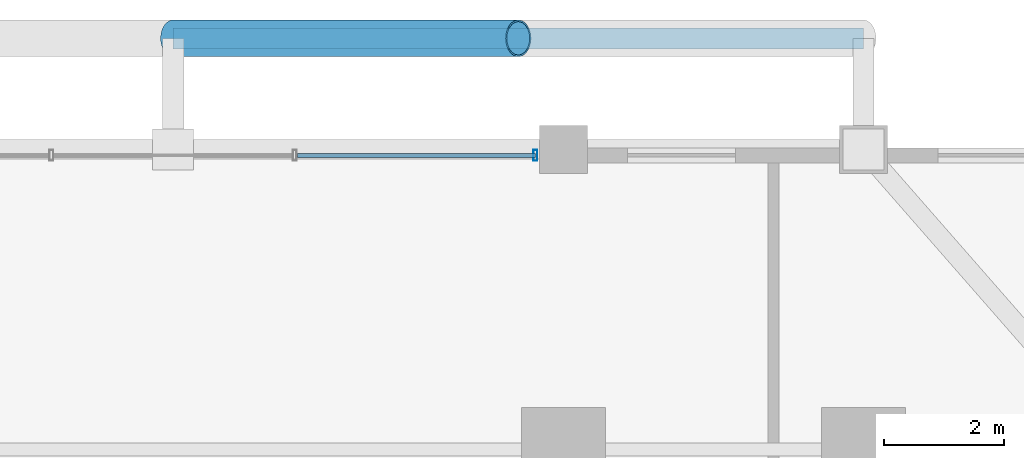
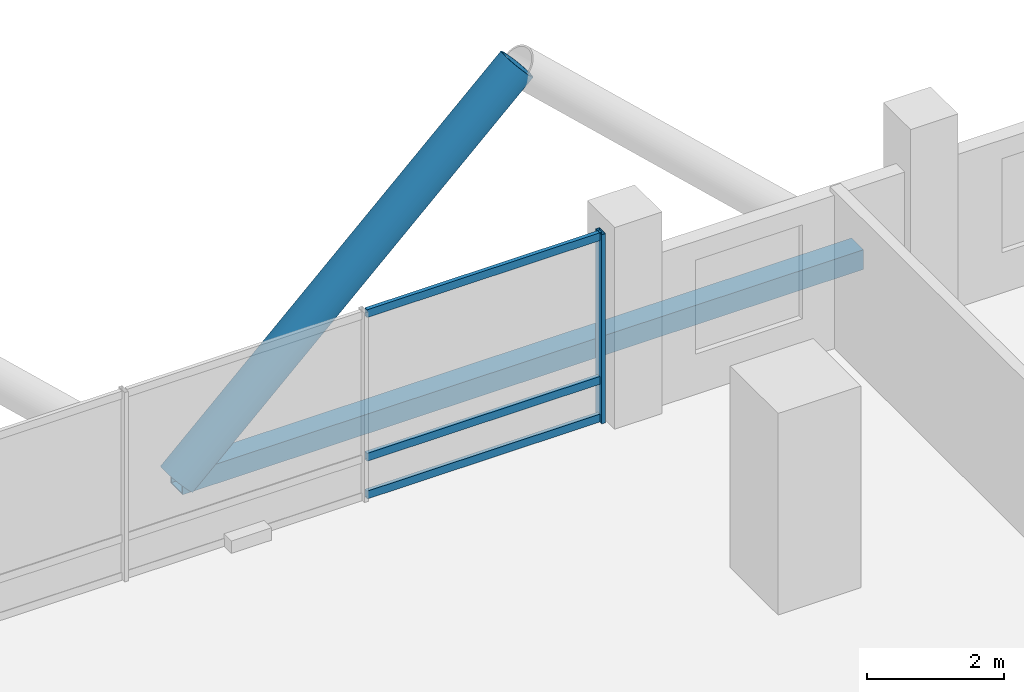
# One storey, part 17 of 27: 6 members, 1 element without a shape of its own.
"""IFC4 building model written with IfcOpenShell, lengths in metres."""

from ifc_helpers import new_model, si_unit, direction, frame, origin, origin_2d, place, context, subcontext, project, spatial, hollow_rectangle, hollow_circle, extrude, material, layer, layer_set, material_profile, profile_set, type_object, element, aggregate, save


model = new_model("IFC4")

# Units and contexts
model_context = context("Model", 3, precision=1e-05, world=origin(), true_north=direction((0.0, 1.0)))
body_context = subcontext(model_context, "Body", "Model", "MODEL_VIEW")
ifc_project = project(units=[si_unit("LENGTHUNIT", "METRE"), si_unit("AREAUNIT", "SQUARE_METRE"), si_unit("VOLUMEUNIT", "CUBIC_METRE"), si_unit("PLANEANGLEUNIT", "RADIAN"), si_unit("MASSUNIT", "GRAM", prefix="KILO")], contexts=[model_context])

# Site, building, storey
site_placement = place(None, origin())
site = spatial("IfcSite", under=ifc_project, at=site_placement, CompositionType="ELEMENT")
building_placement = place(site_placement, origin())
building = spatial("IfcBuilding", under=site, at=building_placement, Name="Barlavira Tower and Art Museum", CompositionType="ELEMENT")
storey_placement = place(building_placement, frame((0.0, 0.0, 72.0)))
storey = spatial("IfcBuildingStorey", under=building, at=storey_placement, Name="L17", CompositionType="ELEMENT", Elevation=72.0)

# Curtain wall, members
ifc_material_1 = material(Name="Low-iron coastal laminated glass", Category="glass")
ifc_layer = layer(ifc_material_1, 0.179931640625, Name="Low-iron coastal laminated glass")
ifc_layer_set = layer_set([ifc_layer], Name="Low-iron coastal laminated glass")
curtain_wall_type = type_object("IfcCurtainWallType", Name="Pale-Metal Unitised Curtain Wall Zone 1", PredefinedType="NOTDEFINED", material=ifc_layer_set)
curtain_wall_placement = place(storey_placement, origin())
curtain_wall = element("IfcCurtainWall", 1, at=curtain_wall_placement, inside=storey, type_object=curtain_wall_type, Name="L17 Curtain Wall CW1-L17-N-B3", PredefinedType="NOTDEFINED")
ifc_material_2 = material(Name="Pale anodised aluminium", Category="aluminium")
ifc_material_profile_1 = material_profile(ifc_material_2, hollow_rectangle(XDim=0.06494140625, YDim=0.179931640625, WallThickness=0.00390625, at=origin_2d()), Name="ALU-MULL 65x180x4")
ifc_profile_set_1 = profile_set([ifc_material_profile_1], Name="Pale anodised aluminium")
member_type_1 = type_object("IfcMemberType", Name="Curtain Wall Pale-Metal Mullion 65x180", PredefinedType="MULLION", material=ifc_profile_set_1)
member_1_placement = place(storey_placement, frame((6.034912109375, 24.89990234375, 0.0), z_axis=(0.0, 0.0, 1.0), x_axis=(-1.0, 0.0, 0.0)))
member_1 = element("IfcMember", 2, at=member_1_placement, type_object=member_type_1, Name="CW1-L17-N-B3 Mullion 0", PredefinedType="MULLION", context=body_context, shape_type="SweptSolid", body=[
    extrude(hollow_rectangle(XDim=0.06494140625, YDim=0.179931640625, WallThickness=0.00390625, at=origin_2d()), origin(), (0.0, 0.0, 1.0), 3.3798828125),
])
ifc_material_profile_2 = material_profile(ifc_material_2, hollow_rectangle(XDim=0.06494140625, YDim=0.139892578125, WallThickness=0.00390625, at=origin_2d()), Name="ALU-TRAN 65x140x4")
ifc_profile_set_2 = profile_set([ifc_material_profile_2], Name="Pale anodised aluminium")
member_type_2 = type_object("IfcMemberType", Name="Curtain Wall Pale-Metal Transom 65x140", PredefinedType="USERDEFINED", material=ifc_profile_set_2)
member_2_placement = place(storey_placement, frame((6.034912109375, 24.89990234375, 0.070068359375), z_axis=(-1.0, 0.0, 0.0), x_axis=(0.0, -1.0, 0.0)))
member_2 = element("IfcMember", 3, at=member_2_placement, type_object=member_type_2, Name="CW1-L17-N-B3 Transom 0.1", ObjectType="TRANSOM", PredefinedType="USERDEFINED", context=body_context, shape_type="SweptSolid", body=[
    extrude(hollow_rectangle(XDim=0.06494140625, YDim=0.139892578125, WallThickness=0.00390625, at=origin_2d()), origin(), (0.0, 0.0, 1.0), 3.963134765625),
])
member_3_placement = place(storey_placement, frame((6.034912109375, 24.89990234375, 0.743896484375), z_axis=(-1.0, 0.0, 0.0), x_axis=(0.0, -1.0, 0.0)))
member_3 = element("IfcMember", 4, at=member_3_placement, type_object=member_type_2, Name="CW1-L17-N-B3 Transom 0.2", ObjectType="TRANSOM", PredefinedType="USERDEFINED", context=body_context, shape_type="SweptSolid", body=[
    extrude(hollow_rectangle(XDim=0.06494140625, YDim=0.139892578125, WallThickness=0.00390625, at=origin_2d()), origin(), (0.0, 0.0, 1.0), 3.963134765625),
])
member_4_placement = place(storey_placement, frame((6.034912109375, 24.89990234375, 3.31005859375), z_axis=(-1.0, 0.0, 0.0), x_axis=(0.0, -1.0, 0.0)))
member_4 = element("IfcMember", 5, at=member_4_placement, type_object=member_type_2, Name="CW1-L17-N-B3 Transom 0.3", ObjectType="TRANSOM", PredefinedType="USERDEFINED", context=body_context, shape_type="SweptSolid", body=[
    extrude(hollow_rectangle(XDim=0.06494140625, YDim=0.139892578125, WallThickness=0.00390625, at=origin_2d()), origin(), (0.0, 0.0, 1.0), 3.963134765625),
])
aggregate(curtain_wall, [member_1, member_2, member_3, member_4])

# Members
ifc_material_3 = material(Name="Steel S355", Category="steel")
ifc_material_profile_3 = material_profile(ifc_material_3, hollow_circle(Radius=0.304931640625, WallThickness=0.028076171875, at=origin_2d()), Name="CHS 610.0x28.0")
ifc_profile_set_3 = profile_set([ifc_material_profile_3], Name="Steel S355")
member_type_3 = type_object("IfcMemberType", Name="Pale-Metal Exoskeleton Diagrid Tube CHS 610x28 Steel S355", PredefinedType="BRACE", material=ifc_profile_set_3)
member_5_placement = place(storey_placement, frame((0.0, 26.85009765625, -0.1201171875), z_axis=(0.728934650808, 0.0, 0.684583285548), x_axis=(0.0, 1.0, 0.0)))
element("IfcMember", 6, at=member_5_placement, inside=storey, type_object=member_type_3, Name="L17 Exoskeleton Diagrid Tube N", PredefinedType="BRACE", context=body_context, shape_type="SweptSolid", body=[
    extrude(hollow_circle(Radius=0.304931640625, WallThickness=0.028076171875, at=origin_2d()), origin(), (0.0, 0.0, 1.0), 7.88818359375),
])
ifc_material_profile_4 = material_profile(ifc_material_3, hollow_rectangle(XDim=0.35009765625, YDim=0.35009765625, WallThickness=0.02001953125, at=origin_2d()), Name="SHS 350x350x20.0")
ifc_profile_set_4 = profile_set([ifc_material_profile_4], Name="Steel S355")
member_type_4 = type_object("IfcMemberType", Name="Pale-Metal Exoskeleton Ring Strut SHS 350x350x20 Steel S355", PredefinedType="STRUT", material=ifc_profile_set_4)
member_6_placement = place(storey_placement, frame((0.0, 26.85009765625, -0.1201171875), z_axis=(1.0, 0.0, 0.0), x_axis=(0.0, 1.0, 0.0)))
element("IfcMember", 7, at=member_6_placement, inside=storey, type_object=member_type_4, Name="L17 Exoskeleton Ring Strut N", PredefinedType="STRUT", context=body_context, shape_type="SweptSolid", body=[
    extrude(hollow_rectangle(XDim=0.35009765625, YDim=0.35009765625, WallThickness=0.02001953125, at=origin_2d()), origin(), (0.0, 0.0, 1.0), 11.5),
])

save(model, "model.ifc")
